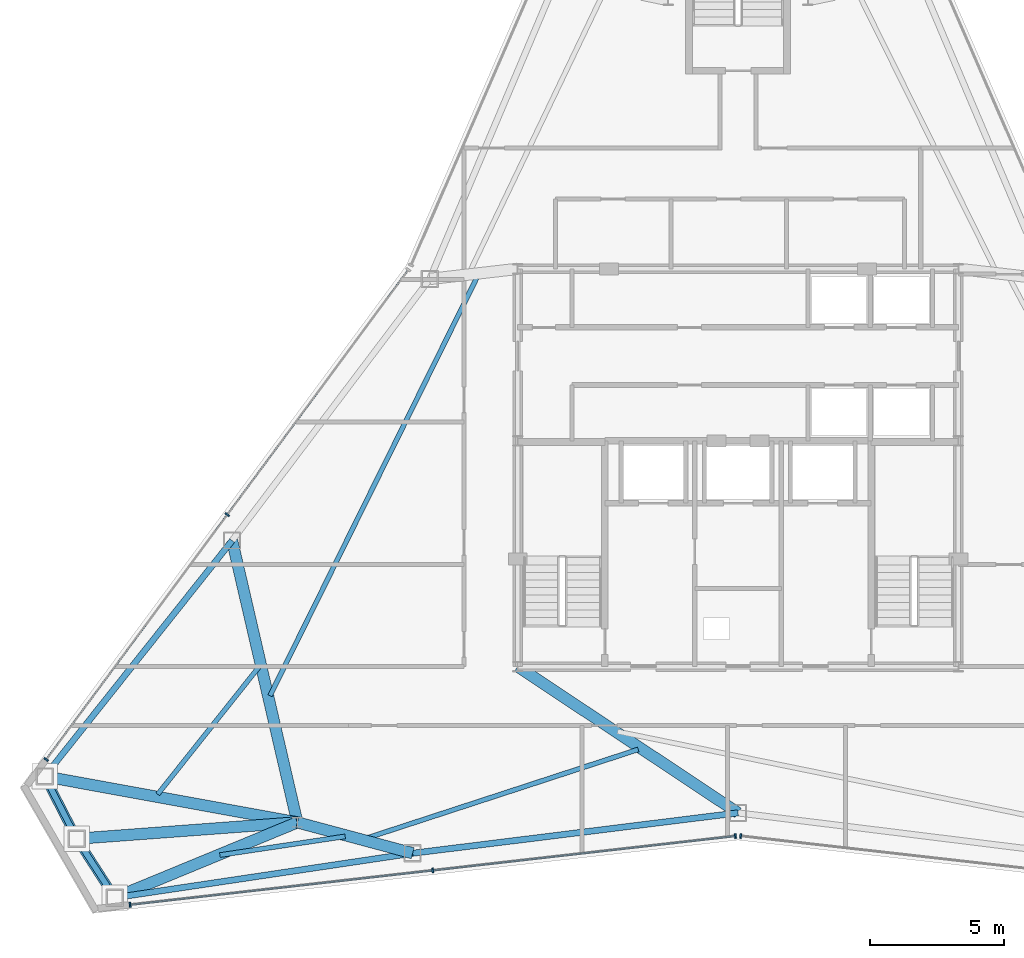
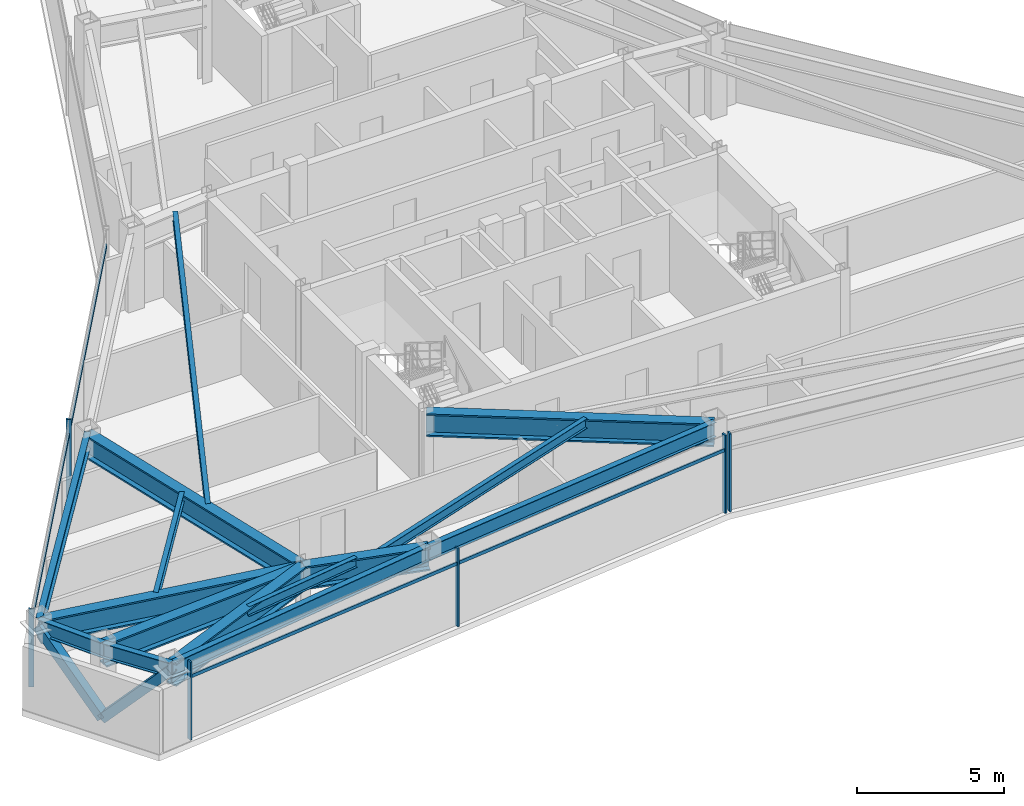
# One storey, part 3 of 11: 15 beams, 10 members, 3 elements without a shape of their own.
"""IFC4 building model written with IfcOpenShell, lengths in metres."""

from ifc_helpers import new_model, si_unit, direction, frame, origin, origin_2d, place, context, subcontext, project, spatial, rectangle, hollow_rectangle, i_section, extrude, source, transform, mapped, material, layer, layer_set, material_profile, profile_set, type_object, type_shapes, element, aggregate, save


model = new_model("IFC4")

# Units and contexts
model_context = context("Model", 3, precision=1e-05, world=origin(), true_north=direction((0.0, 1.0)))
body_context = subcontext(model_context, "Body", "Model", "MODEL_VIEW")
ifc_project = project(units=[si_unit("LENGTHUNIT", "METRE"), si_unit("AREAUNIT", "SQUARE_METRE"), si_unit("VOLUMEUNIT", "CUBIC_METRE"), si_unit("PLANEANGLEUNIT", "RADIAN"), si_unit("MASSUNIT", "GRAM", prefix="KILO")], contexts=[model_context])

# Site, building, storey
site_placement = place(None, origin())
site = spatial("IfcSite", under=ifc_project, at=site_placement, CompositionType="ELEMENT")
building_placement = place(site_placement, origin())
building = spatial("IfcBuilding", under=site, at=building_placement, Name="Varakhsha Concourse Tower", CompositionType="ELEMENT")
storey_placement = place(building_placement, frame((0.0, 0.0, 279.5)))
storey = spatial("IfcBuildingStorey", under=building, at=storey_placement, Name="L79", CompositionType="ELEMENT", Elevation=279.5)

# Beams
ifc_material_1 = material(Name="Structural Steel ASTM A992 Grade 50", Category="steel")
ifc_material_profile_1 = material_profile(ifc_material_1, i_section(OverallWidth=0.177978515625, OverallDepth=0.406982421875, WebThickness=0.008056640625, FlangeThickness=0.012939453125, at=origin_2d()), Name="W16X40")
ifc_profile_set_1 = profile_set([ifc_material_profile_1], Name="Structural Steel ASTM A992 Grade 50")
beam_type_1 = type_object("IfcBeamType", Name="BM-JST-W16X40", PredefinedType="JOIST", material=ifc_profile_set_1)
beam_1_placement = place(storey_placement, frame((30.3115234375, 30.935791015625, 3.04638671875), z_axis=(-0.443495386622, -0.896276654859, 0.0), x_axis=(0.896276654859, -0.443495386622, 0.0)))
element("IfcBeam", 1, at=beam_1_placement, inside=storey, type_object=beam_type_1, Name="BM-TJST-L79-05", PredefinedType="JOIST", context=body_context, shape_type="SweptSolid", body=[
    extrude(i_section(OverallWidth=0.177978515625, OverallDepth=0.406982421875, WebThickness=0.008056640625, FlangeThickness=0.012939453125, at=origin_2d()), origin(), (0.0, 0.0, 1.0), 17.431396484375),
])
beam_2_placement = place(storey_placement, frame((22.172119140625, 16.38623046875, 3.04638671875), z_axis=(-0.622322665735, -0.782760818969, 0.0), x_axis=(0.782760818969, -0.622322665735, 0.0)))
element("IfcBeam", 2, at=beam_2_placement, inside=storey, type_object=beam_type_1, Name="BM-TJST-L79-06", PredefinedType="JOIST", context=body_context, shape_type="SweptSolid", body=[
    extrude(i_section(OverallWidth=0.177978515625, OverallDepth=0.406982421875, WebThickness=0.008056640625, FlangeThickness=0.012939453125, at=origin_2d()), origin(), (0.0, 0.0, 1.0), 6.056396484375),
])
beam_3_placement = place(storey_placement, frame((20.71875, 9.38330078125, 3.04638671875), z_axis=(0.989050463815, 0.147577708437, 0.0), x_axis=(-0.147577708437, 0.989050463815, 0.0)))
element("IfcBeam", 3, at=beam_3_placement, inside=storey, type_object=beam_type_1, Name="BM-TJST-L79-09", PredefinedType="JOIST", context=body_context, shape_type="SweptSolid", body=[
    extrude(i_section(OverallWidth=0.177978515625, OverallDepth=0.406982421875, WebThickness=0.008056640625, FlangeThickness=0.012939453125, at=origin_2d()), origin(), (0.0, 0.0, 1.0), 4.71142578125),
])
beam_4_placement = place(storey_placement, frame((26.10693359375, 9.9912109375, 3.04638671875), z_axis=(0.950592002478, 0.3104429816, 0.0), x_axis=(-0.3104429816, 0.950592002478, 0.0)))
element("IfcBeam", 4, at=beam_4_placement, inside=storey, type_object=beam_type_1, Name="BM-TJST-L79-10", PredefinedType="JOIST", context=body_context, shape_type="SweptSolid", body=[
    extrude(i_section(OverallWidth=0.177978515625, OverallDepth=0.406982421875, WebThickness=0.008056640625, FlangeThickness=0.012939453125, at=origin_2d()), origin(), (0.0, 0.0, 1.0), 10.70947265625),
])
ifc_material_profile_2 = material_profile(ifc_material_1, i_section(OverallWidth=0.423095703125, OverallDepth=0.947998046875, WebThickness=0.0380859375, FlangeThickness=0.06396484375, at=origin_2d()), Name="W36X302")
ifc_profile_set_2 = profile_set([ifc_material_profile_2], Name="Structural Steel ASTM A992 Grade 50")
beam_type_2 = type_object("IfcBeamType", Name="BM-OUTR-W36X302", PredefinedType="USERDEFINED", material=ifc_profile_set_2)
beam_5_placement = place(storey_placement, frame((23.60009765625, 10.60009765625, 2.77587890625), z_axis=(-0.225527043555, 0.974236907854, 0.0), x_axis=(-0.974236907854, -0.225527043555, 0.0)))
element("IfcBeam", 5, at=beam_5_placement, inside=storey, type_object=beam_type_2, Name="L79 Radial Floor Girder 06", ObjectType="GIRDER", PredefinedType="USERDEFINED", context=body_context, shape_type="SweptSolid", body=[
    extrude(i_section(OverallWidth=0.423095703125, OverallDepth=0.947998046875, WebThickness=0.0380859375, FlangeThickness=0.06396484375, at=origin_2d()), origin(), (0.0, 0.0, 1.0), 10.763671875),
])
beam_6_placement = place(storey_placement, frame((23.60009765625, 10.60009765625, 2.77587890625), z_axis=(-0.983804040319, 0.179247343778, 0.0), x_axis=(-0.179247343778, -0.983804040319, 0.0)))
element("IfcBeam", 6, at=beam_6_placement, inside=storey, type_object=beam_type_2, Name="L79 Radial Floor Girder 07", ObjectType="GIRDER", PredefinedType="USERDEFINED", context=body_context, shape_type="SweptSolid", body=[
    extrude(i_section(OverallWidth=0.423095703125, OverallDepth=0.947998046875, WebThickness=0.0380859375, FlangeThickness=0.06396484375, at=origin_2d()), origin(), (0.0, 0.0, 1.0), 9.557373046875),
])
beam_7_placement = place(storey_placement, frame((23.60009765625, 10.60009765625, 2.77587890625), z_axis=(-0.997265326359, -0.073904457528, 0.0), x_axis=(0.073904457528, -0.997265326359, 0.0)))
element("IfcBeam", 7, at=beam_7_placement, inside=storey, type_object=beam_type_2, Name="L79 Radial Floor Girder 08", ObjectType="GIRDER", PredefinedType="USERDEFINED", context=body_context, shape_type="SweptSolid", body=[
    extrude(i_section(OverallWidth=0.423095703125, OverallDepth=0.947998046875, WebThickness=0.0380859375, FlangeThickness=0.06396484375, at=origin_2d()), origin(), (0.0, 0.0, 1.0), 8.232177734375),
])
beam_8_placement = place(storey_placement, frame((23.60009765625, 10.60009765625, 2.77587890625), z_axis=(-0.924468161954, -0.381259252392, 0.0), x_axis=(0.381259252392, -0.924468161954, 0.0)))
element("IfcBeam", 8, at=beam_8_placement, inside=storey, type_object=beam_type_2, Name="L79 Radial Floor Girder 09", ObjectType="GIRDER", PredefinedType="USERDEFINED", context=body_context, shape_type="SweptSolid", body=[
    extrude(i_section(OverallWidth=0.423095703125, OverallDepth=0.947998046875, WebThickness=0.0380859375, FlangeThickness=0.06396484375, at=origin_2d()), origin(), (0.0, 0.0, 1.0), 7.3505859375),
])
beam_9_placement = place(storey_placement, frame((23.60009765625, 10.60009765625, 2.77587890625), z_axis=(0.965982637978, -0.258606927838, 0.0), x_axis=(0.258606927838, 0.965982637978, 0.0)))
element("IfcBeam", 9, at=beam_9_placement, inside=storey, type_object=beam_type_2, Name="L79 Radial Floor Girder 10", ObjectType="GIRDER", PredefinedType="USERDEFINED", context=body_context, shape_type="SweptSolid", body=[
    extrude(i_section(OverallWidth=0.423095703125, OverallDepth=0.947998046875, WebThickness=0.0380859375, FlangeThickness=0.06396484375, at=origin_2d()), origin(), (0.0, 0.0, 1.0), 4.44091796875),
])
beam_10_placement = place(storey_placement, frame((31.800048828125, 16.39990234375, 2.77587890625), z_axis=(0.832991531821, -0.553285738036, 0.0), x_axis=(0.553285738036, 0.832991531821, 0.0)))
element("IfcBeam", 10, at=beam_10_placement, inside=storey, type_object=beam_type_2, Name="L79 Radial Floor Girder 11", ObjectType="GIRDER", PredefinedType="USERDEFINED", context=body_context, shape_type="SweptSolid", body=[
    extrude(i_section(OverallWidth=0.423095703125, OverallDepth=0.947998046875, WebThickness=0.0380859375, FlangeThickness=0.06396484375, at=origin_2d()), origin(), (0.0, 0.0, 1.0), 9.843994140625),
])
ifc_material_profile_3 = material_profile(ifc_material_1, i_section(OverallWidth=0.22900390625, OverallDepth=0.612060546875, WebThickness=0.011962890625, FlangeThickness=0.02001953125, at=origin_2d()), Name="W24X84")
ifc_profile_set_3 = profile_set([ifc_material_profile_3], Name="Structural Steel ASTM A992 Grade 50")
beam_type_3 = type_object("IfcBeamType", Name="BM-SPAN-W24X84", PredefinedType="SPANDREL", material=ifc_profile_set_3)
beam_11_placement = place(storey_placement, frame((21.172607421875, 21.08642578125, 2.944091796875), z_axis=(-0.62232797875, -0.782756594903, 0.0), x_axis=(0.782756594903, -0.62232797875, 0.0)))
element("IfcBeam", 11, at=beam_11_placement, inside=storey, type_object=beam_type_3, Name="BM-SPAN-L79-06", PredefinedType="SPANDREL", context=body_context, shape_type="SweptSolid", body=[
    extrude(i_section(OverallWidth=0.22900390625, OverallDepth=0.612060546875, WebThickness=0.011962890625, FlangeThickness=0.02001953125, at=origin_2d()), origin(), (0.0, 0.0, 1.0), 11.2080078125),
])
beam_12_placement = place(storey_placement, frame((14.197509765625, 12.313232421875, 2.944091796875), z_axis=(0.457026728921, -0.889452960562, 0.0), x_axis=(0.889452960562, 0.457026728921, 0.0)))
element("IfcBeam", 12, at=beam_12_placement, inside=storey, type_object=beam_type_3, Name="BM-SPAN-L79-07", PredefinedType="SPANDREL", context=body_context, shape_type="SweptSolid", body=[
    extrude(i_section(OverallWidth=0.22900390625, OverallDepth=0.612060546875, WebThickness=0.011962890625, FlangeThickness=0.02001953125, at=origin_2d()), origin(), (0.0, 0.0, 1.0), 2.610107421875),
])
beam_13_placement = place(storey_placement, frame((15.390380859375, 9.99169921875, 2.944091796875), z_axis=(0.541792375817, -0.840512356546, 0.0), x_axis=(0.840512356546, 0.541792375817, 0.0)))
element("IfcBeam", 13, at=beam_13_placement, inside=storey, type_object=beam_type_3, Name="BM-SPAN-L79-08", PredefinedType="SPANDREL", context=body_context, shape_type="SweptSolid", body=[
    extrude(i_section(OverallWidth=0.22900390625, OverallDepth=0.612060546875, WebThickness=0.011962890625, FlangeThickness=0.02001953125, at=origin_2d()), origin(), (0.0, 0.0, 1.0), 2.6103515625),
])
beam_14_placement = place(storey_placement, frame((16.8046875, 7.797607421875, 2.944091796875), z_axis=(0.989050299735, 0.147578808076, 0.0), x_axis=(-0.147578808076, 0.989050299735, 0.0)))
element("IfcBeam", 14, at=beam_14_placement, inside=storey, type_object=beam_type_3, Name="BM-SPAN-L79-09", PredefinedType="SPANDREL", context=body_context, shape_type="SweptSolid", body=[
    extrude(i_section(OverallWidth=0.22900390625, OverallDepth=0.612060546875, WebThickness=0.011962890625, FlangeThickness=0.02001953125, at=origin_2d()), origin(), (0.0, 0.0, 1.0), 11.2080078125),
])
beam_15_placement = place(storey_placement, frame((27.889892578125, 9.45166015625, 2.944091796875), z_axis=(0.992398980009, 0.123062035079, 0.0), x_axis=(-0.123062035079, 0.992398980009, 0.0)))
element("IfcBeam", 15, at=beam_15_placement, inside=storey, type_object=beam_type_3, Name="BM-SPAN-L79-10", PredefinedType="SPANDREL", context=body_context, shape_type="SweptSolid", body=[
    extrude(i_section(OverallWidth=0.22900390625, OverallDepth=0.612060546875, WebThickness=0.011962890625, FlangeThickness=0.02001953125, at=origin_2d()), origin(), (0.0, 0.0, 1.0), 12.202880859375),
])

# Members
ifc_material_2 = material(Name="Structural Steel ASTM A500 Grade C", Category="steel")
ifc_material_profile_4 = material_profile(ifc_material_2, hollow_rectangle(XDim=0.35009765625, YDim=0.35009765625, WallThickness=0.01611328125, at=origin_2d()), Name="HSS 350x350x16")
ifc_profile_set_4 = profile_set([ifc_material_profile_4], Name="Structural Steel ASTM A500 Grade C")
member_type_1 = type_object("IfcMemberType", Name="MB-TUBE-HSS350", PredefinedType="BRACE", material=ifc_profile_set_4)
shared_shape_1 = source(origin(), body_context, "Body", "SweptSolid", [
    extrude(hollow_rectangle(XDim=0.35009765625, YDim=0.35009765625, WallThickness=0.01611328125, at=origin_2d()), origin(), (0.0, 0.0, 1.0), 3.849853515625),
])
member_1_placement = place(storey_placement, frame((15.390380859375, 9.99169921875, 0.1201171875), z_axis=(0.367355317678, -0.569898539612, 0.735027703643), x_axis=(0.840512356546, 0.541792375817, 0.0)))
element("IfcMember", 16, at=member_1_placement, inside=storey, type_object=member_type_1, Name="L79 Wind-Corner Tube Brace B04", PredefinedType="BRACE", context=body_context, shape_type="MappedRepresentation", body=[
    mapped(shared_shape_1, transform((0.0, 0.0, 0.0), scale=1.0)),
])
shared_shape_2 = source(origin(), body_context, "Body", "SweptSolid", [
    extrude(hollow_rectangle(XDim=0.35009765625, YDim=0.35009765625, WallThickness=0.01611328125, at=origin_2d()), origin(), (0.0, 0.0, 1.0), 3.849609375),
])
type_shapes(member_type_1, [shared_shape_1, shared_shape_2])
member_2_placement = place(storey_placement, frame((15.390380859375, 9.99169921875, 0.1201171875), z_axis=(-0.309858407684, 0.603037985809, 0.735073435011), x_axis=(-0.889452960562, -0.457026728921, 0.0)))
element("IfcMember", 17, at=member_2_placement, inside=storey, type_object=member_type_1, Name="L79 Wind-Corner Tube Brace B03", PredefinedType="BRACE", context=body_context, shape_type="MappedRepresentation", body=[
    mapped(shared_shape_2, transform((0.0, 0.0, 0.0), scale=1.0)),
])

# Curtain wall, members
ifc_material_3 = material(Name="Anodised Bronze Architectural Aluminium AA 6063-T6", Category="aluminium")
ifc_layer = layer(ifc_material_3, 0.199951171875, Name="CW-SYS-05")
ifc_layer_set = layer_set([ifc_layer], Name="Anodised Bronze Architectural Aluminium AA 6063-T6")
curtain_wall_type = type_object("IfcCurtainWallType", Name="CW-SYS-05", PredefinedType="NOTDEFINED", material=ifc_layer_set)
curtain_wall_1_placement = place(storey_placement, origin())
curtain_wall_1 = element("IfcCurtainWall", 18, at=curtain_wall_1_placement, inside=storey, type_object=curtain_wall_type, Name="L79 Crystal Curtain Wall F3", PredefinedType="NOTDEFINED")
ifc_material_profile_5 = material_profile(ifc_material_3, rectangle(XDim=0.06494140625, YDim=0.179931640625, at=origin_2d()), Name="CWM-180X65")
ifc_profile_set_5 = profile_set([ifc_material_profile_5], Name="Anodised Bronze Architectural Aluminium AA 6063-T6")
member_type_2 = type_object("IfcMemberType", Name="CWM-180X65", PredefinedType="MULLION", material=ifc_profile_set_5)
shared_shape_3 = source(origin(), body_context, "Body", "SweptSolid", [
    extrude(rectangle(XDim=0.06494140625, YDim=0.179931640625, at=origin_2d()), origin(), (0.0, 0.0, 1.0), 3.25),
])
type_shapes(member_type_2, [shared_shape_3])
member_3_placement = place(storey_placement, frame((14.251220703125, 12.9365234375, 0.0), z_axis=(0.0, 0.0, 1.0), x_axis=(0.594533731364, 0.804070669948, 0.0)))
member_3 = element("IfcMember", 19, at=member_3_placement, type_object=member_type_2, Name="CW-L79-F3 Mullion 00", PredefinedType="MULLION", context=body_context, shape_type="MappedRepresentation", body=[
    mapped(shared_shape_3, transform((0.0, 0.0, 0.0), scale=1.0)),
])
member_4_placement = place(storey_placement, frame((20.991943359375, 22.05322265625, 0.0), z_axis=(0.0, 0.0, 1.0), x_axis=(0.594533731364, 0.804070669948, 0.0)))
member_4 = element("IfcMember", 20, at=member_4_placement, type_object=member_type_2, Name="CW-L79-F3 Mullion 01", PredefinedType="MULLION", context=body_context, shape_type="MappedRepresentation", body=[
    mapped(shared_shape_3, transform((0.0, 0.0, 0.0), scale=1.0)),
])

curtain_wall_2_placement = place(storey_placement, origin())
curtain_wall_2 = element("IfcCurtainWall", 21, at=curtain_wall_2_placement, inside=storey, type_object=curtain_wall_type, Name="L79 Crystal Curtain Wall F5", PredefinedType="NOTDEFINED")
member_5_placement = place(storey_placement, frame((39.902587890625, 10.09130859375, 0.0), z_axis=(0.0, 0.0, 1.0), x_axis=(-0.993612689247, -0.112844245613, 0.0)))
member_5 = element("IfcMember", 22, at=member_5_placement, type_object=member_type_2, Name="CW-L79-F5 Mullion 00", PredefinedType="MULLION", context=body_context, shape_type="MappedRepresentation", body=[
    mapped(shared_shape_3, transform((0.0, 0.0, 0.0), scale=1.0)),
])
member_6_placement = place(storey_placement, frame((28.63671875, 8.81201171875, 0.0), z_axis=(0.0, 0.0, 1.0), x_axis=(-0.993612689247, -0.112844245613, 0.0)))
member_6 = element("IfcMember", 23, at=member_6_placement, type_object=member_type_2, Name="CW-L79-F5 Mullion 01", PredefinedType="MULLION", context=body_context, shape_type="MappedRepresentation", body=[
    mapped(shared_shape_3, transform((0.0, 0.0, 0.0), scale=1.0)),
])
member_7_placement = place(storey_placement, frame((17.37109375, 7.532470703125, 0.0), z_axis=(0.0, 0.0, 1.0), x_axis=(-0.993612689247, -0.112844245613, 0.0)))
member_7 = element("IfcMember", 24, at=member_7_placement, type_object=member_type_2, Name="CW-L79-F5 Mullion 02", PredefinedType="MULLION", context=body_context, shape_type="MappedRepresentation", body=[
    mapped(shared_shape_3, transform((0.0, 0.0, 0.0), scale=1.0)),
])

# Curtain wall, member
curtain_wall_3_placement = place(storey_placement, origin())
curtain_wall_3 = element("IfcCurtainWall", 25, at=curtain_wall_3_placement, inside=storey, type_object=curtain_wall_type, Name="L79 Crystal Curtain Wall F6", PredefinedType="NOTDEFINED")
member_8_placement = place(storey_placement, frame((40.097412109375, 10.09130859375, 0.0), z_axis=(0.0, 0.0, 1.0), x_axis=(-0.993612689247, 0.112844245613, 0.0)))
member_8 = element("IfcMember", 26, at=member_8_placement, type_object=member_type_2, Name="CW-L79-F6 Mullion 02", PredefinedType="MULLION", context=body_context, shape_type="MappedRepresentation", body=[
    mapped(shared_shape_3, transform((0.0, 0.0, 0.0), scale=1.0)),
])
aggregate(curtain_wall_3, [member_8])

# Member
ifc_material_profile_6 = material_profile(ifc_material_3, rectangle(XDim=0.06005859375, YDim=0.139892578125, at=origin_2d()), Name="CWT-140X60")
ifc_profile_set_6 = profile_set([ifc_material_profile_6], Name="Anodised Bronze Architectural Aluminium AA 6063-T6")
member_type_3 = type_object("IfcMemberType", Name="CWT-140X60", PredefinedType="USERDEFINED", material=ifc_profile_set_6)
shared_shape_4 = source(origin(), body_context, "Body", "SweptSolid", [
    extrude(rectangle(XDim=0.06005859375, YDim=0.139892578125, at=origin_2d()), origin(), (0.0, 0.0, 1.0), 22.67626953125),
])
type_shapes(member_type_3, [shared_shape_4])
member_9_placement = place(storey_placement, frame((14.251220703125, 12.9365234375, 2.60009765625), z_axis=(0.594528790613, 0.80407432314, 0.0), x_axis=(-0.80407432314, 0.594528790613, 0.0)))
member_9 = element("IfcMember", 27, at=member_9_placement, type_object=member_type_3, Name="CW-L79-F3 Transom 01", ObjectType="TRANSOM", PredefinedType="USERDEFINED", context=body_context, shape_type="MappedRepresentation", body=[
    mapped(shared_shape_4, transform((0.0, 0.0, 0.0), scale=1.0)),
])

aggregate(curtain_wall_1, [member_3, member_4, member_9])

member_10_placement = place(storey_placement, frame((39.902587890625, 10.09130859375, 2.60009765625), z_axis=(-0.99361296623, -0.112841806706, 0.0), x_axis=(0.112841806706, -0.99361296623, 0.0)))
member_10 = element("IfcMember", 28, at=member_10_placement, type_object=member_type_3, Name="CW-L79-F5 Transom 01", ObjectType="TRANSOM", PredefinedType="USERDEFINED", context=body_context, shape_type="MappedRepresentation", body=[
    mapped(shared_shape_4, transform((0.0, 0.0, 0.0), scale=1.0)),
])

aggregate(curtain_wall_2, [member_5, member_6, member_7, member_10])

save(model, "model.ifc")
